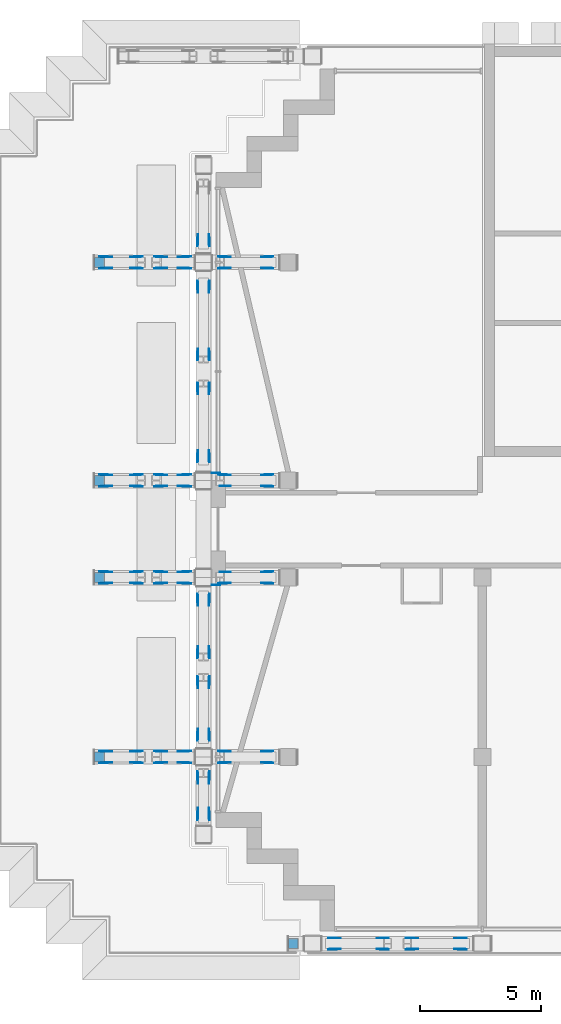
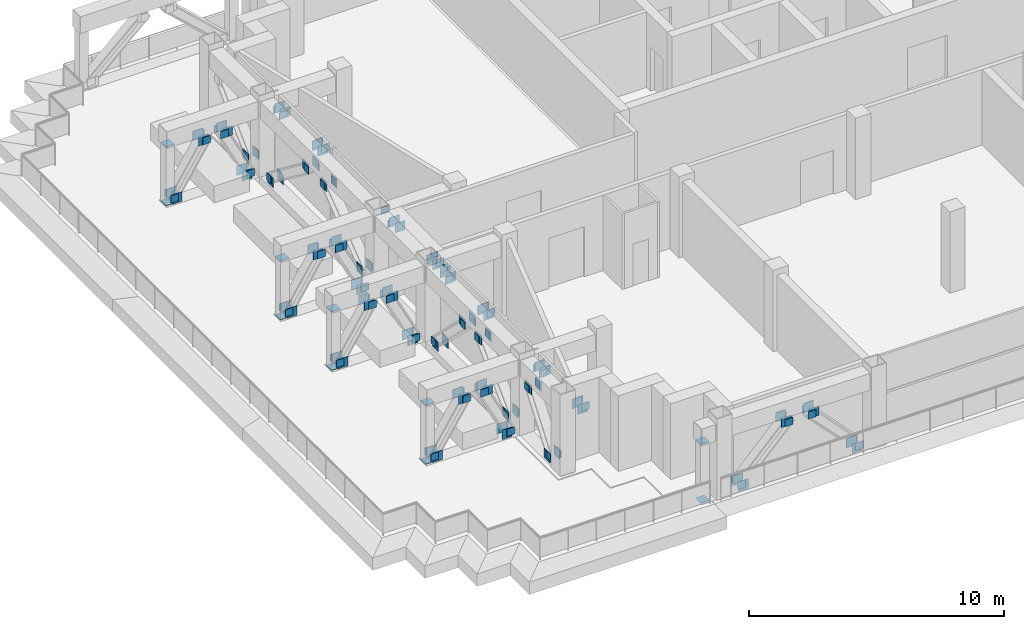
# One storey, part 14 of 21: 166 discrete accessories.
"""IFC4 building model written with IfcOpenShell, lengths in metres."""

import ifcopenshell
import ifcopenshell.guid

model = None  # the IFC model being written
_history = None  # IfcOwnerHistory: only IFC2X3 demands one
_inside = {}  # id of a spatial element -> (the spatial element, [elements in it])
_under = {}  # id of a project, library or spatial element -> (it, [spatial elements below it])
_declared = {}  # id of a project -> (the project, [libraries it declares])
_typed = {}  # id of a type object -> (the type object, [elements of that type])
_made_of = {}  # id of a material, layer set ... -> (it, [elements and type objects made of it])


def new_model(schema):
    """Start an empty IFC model of exactly this schema.

    Asked for "IFC4X3", IfcOpenShell would pick the latest addendum, in which some entities
    have other attributes; the version numbers below select the first issue.
    IFC2X3 requires an IfcOwnerHistory on every rooted entity: one is made here for all.
    """
    global model, _history
    if schema == "IFC4X3":
        model = ifcopenshell.file(schema_version=(4, 3, 0, 0))
    else:
        model = ifcopenshell.file(schema=schema)
    _inside.clear()
    _under.clear()
    _declared.clear()
    _typed.clear()
    _made_of.clear()
    _history = None
    if model.schema == "IFC2X3":
        org = make("IfcOrganization", Name="unknown")
        user = make(
            "IfcPersonAndOrganization",
            ThePerson=make("IfcPerson", FamilyName="unknown"),
            TheOrganization=org,
        )
        app = make(
            "IfcApplication",
            ApplicationDeveloper=org,
            Version="unknown",
            ApplicationFullName="unknown",
            ApplicationIdentifier="unknown",
        )
        _history = make(
            "IfcOwnerHistory",
            OwningUser=user,
            OwningApplication=app,
            ChangeAction="ADDED",
            CreationDate=0,
        )
    return model


def make(cls, **values):
    """One entity of the class cls with the attributes given. An attribute that is None is left unset."""
    return model.create_entity(
        cls, **{name: value for name, value in values.items() if value is not None}
    )


def rooted(cls, **values):
    """An entity with a GlobalId (a new one), such as an element, a storey or a relation."""
    return make(cls, GlobalId=ifcopenshell.guid.new(), OwnerHistory=_history, **values)


def si_unit(unit_type, name, prefix=None):
    """IfcSIUnit, for example si_unit("LENGTHUNIT", "METRE", prefix="MILLI")."""
    return make("IfcSIUnit", UnitType=unit_type, Prefix=prefix, Name=name)


def assignment(units):
    """IfcUnitAssignment: the units of a project."""
    return None if units is None else make("IfcUnitAssignment", Units=units)


def point(xyz):
    """IfcCartesianPoint."""
    return None if xyz is None else make("IfcCartesianPoint", Coordinates=xyz)


def direction(xyz):
    """IfcDirection."""
    return None if xyz is None else make("IfcDirection", DirectionRatios=xyz)


def frame(location, z_axis=None, x_axis=None):
    """IfcAxis2Placement3D, a coordinate frame: its origin and axes. An axis left out is left unset."""
    return make(
        "IfcAxis2Placement3D",
        Location=point(location),
        Axis=direction(z_axis),
        RefDirection=direction(x_axis),
    )


def frame_2d(location, x_axis=None):
    """IfcAxis2Placement2D, a coordinate frame in the plane: its origin and x axis."""
    return make(
        "IfcAxis2Placement2D", Location=point(location), RefDirection=direction(x_axis)
    )


def origin():
    """The frame at (0, 0, 0) with its axes left unset."""
    return frame((0.0, 0.0, 0.0))


def origin_2d():
    """The frame at (0, 0) in the plane with its x axis left unset."""
    return frame_2d((0.0, 0.0))


def place(relative_to, where):
    """IfcLocalPlacement: puts the frame where relative to a parent placement (None: the world)."""
    return make(
        "IfcLocalPlacement", PlacementRelTo=relative_to, RelativePlacement=where
    )


def context(
    kind, dimensions, precision=None, world=None, true_north=None, identifier=None
):
    """IfcGeometricRepresentationContext, for example the 3D "Model" context."""
    return make(
        "IfcGeometricRepresentationContext",
        ContextIdentifier=identifier,
        ContextType=kind,
        CoordinateSpaceDimension=dimensions,
        Precision=precision,
        WorldCoordinateSystem=world,
        TrueNorth=true_north,
    )


def subcontext(parent, identifier, kind, view, scale=None):
    """IfcGeometricRepresentationSubContext, for example "Body" below "Model"."""
    return make(
        "IfcGeometricRepresentationSubContext",
        ContextIdentifier=identifier,
        ContextType=kind,
        ParentContext=parent,
        TargetScale=scale,
        TargetView=view,
    )


def project(units=None, contexts=None):
    """IfcProject with its units and contexts."""
    return rooted(
        "IfcProject",
        Name="project",
        RepresentationContexts=contexts,
        UnitsInContext=assignment(units),
    )


def spatial(cls, under=None, at=None, **own):
    """A site, building, storey or space (cls), placed at a placement, below another one or the project."""
    s = rooted(cls, ObjectPlacement=at, **own)
    if under is not None:
        _under.setdefault(under.id(), (under, []))[1].append(s)
    return s


def profile(cls, at=None, kind="AREA", **sizes):
    """A parametric profile (cls). Its sizes go by their IFC names, for example OverallWidth=200.0."""
    return make(cls, ProfileType=kind, Position=at, **sizes)


def rectangle(**sizes):
    """IfcRectangleProfileDef."""
    return profile("IfcRectangleProfileDef", **sizes)


def extrude(swept, where, along, depth):
    """IfcExtrudedAreaSolid: the profile swept, set in the frame where, extruded along a direction by depth."""
    return make(
        "IfcExtrudedAreaSolid",
        SweptArea=swept,
        Position=where,
        ExtrudedDirection=direction(along),
        Depth=depth,
    )


def shape(context_of_items, identifier, shape_type, items):
    """IfcShapeRepresentation: the items that make up one representation, for example the "Body"."""
    return make(
        "IfcShapeRepresentation",
        ContextOfItems=context_of_items,
        RepresentationIdentifier=identifier,
        RepresentationType=shape_type,
        Items=items,
    )


def made_of(thing, what):
    """Note that an element or type object is made of a material, layer set ...; save() writes the relation."""
    if what is not None:
        _made_of.setdefault(what.id(), (what, []))[1].append(thing)
    return thing


def element(
    cls,
    number,
    at=None,
    inside=None,
    cuts=None,
    type_object=None,
    material=None,
    context=None,
    identifier="Body",
    shape_type=None,
    held_by="IfcProductDefinitionShape",
    body=None,
    shapes=None,
    **own,
):
    """One element of the class cls, such as IfcWall. Its Tag is "e" and its number.

    at: its placement. inside: the storey or other place that contains it. cuts: it is an
    opening in that element (IfcRelVoidsElement). A single representation is given by context,
    identifier, shape_type and body (its items); several are given by shapes. held_by: the class
    of the entity that holds the representations. save() writes the other relations.
    """
    e = rooted(cls, Tag="e%d" % number, ObjectPlacement=at, **own)
    if body is not None:
        shapes = [shape(context, identifier, shape_type, body)]
    if shapes is not None:
        e.Representation = make(held_by, Representations=shapes)
    if inside is not None:
        _inside.setdefault(inside.id(), (inside, []))[1].append(e)
    if cuts is not None:
        rooted(
            "IfcRelVoidsElement", RelatingBuildingElement=cuts, RelatedOpeningElement=e
        )
    if type_object is not None:
        _typed.setdefault(type_object.id(), (type_object, []))[1].append(e)
    return made_of(e, material)


def aggregate(whole, parts):
    """IfcRelAggregates: a whole, such as a stair, and the parts it consists of."""
    return rooted("IfcRelAggregates", RelatingObject=whole, RelatedObjects=parts)


def save(model, path):
    """Write the relations noted so far, then the file.

    IfcRelAggregates (storeys below a building ...), IfcRelContainedInSpatialStructure (elements
    in a storey), IfcRelDefinesByType, IfcRelAssociatesMaterial and IfcRelDeclares: one each for
    every whole, place, type object, material and project.
    """
    for whole, parts in _under.values():
        aggregate(whole, parts)
    for where, things in _inside.values():
        rooted(
            "IfcRelContainedInSpatialStructure",
            RelatedElements=things,
            RelatingStructure=where,
        )
    for kind, things in _typed.values():
        rooted("IfcRelDefinesByType", RelatedObjects=things, RelatingType=kind)
    for what, things in _made_of.values():
        rooted("IfcRelAssociatesMaterial", RelatedObjects=things, RelatingMaterial=what)
    for by, libraries in _declared.values():
        rooted("IfcRelDeclares", RelatingContext=by, RelatedDefinitions=libraries)
    model.write(path)


model = new_model("IFC4")

# Units and contexts
model_context = context("Model", 3, precision=1e-05, world=origin(), true_north=direction((0.0, 1.0)))
body_context = subcontext(model_context, "Body", "Model", "MODEL_VIEW")
ifc_project = project(units=[si_unit("LENGTHUNIT", "METRE"), si_unit("AREAUNIT", "SQUARE_METRE"), si_unit("VOLUMEUNIT", "CUBIC_METRE"), si_unit("PLANEANGLEUNIT", "RADIAN"), si_unit("MASSUNIT", "GRAM", prefix="KILO")], contexts=[model_context])

# Site, building, storey
site_placement = place(None, origin())
site = spatial("IfcSite", under=ifc_project, at=site_placement, CompositionType="ELEMENT")
building_placement = place(site_placement, origin())
building = spatial("IfcBuilding", under=site, at=building_placement, Name="Vidyagriha Tower", CompositionType="ELEMENT")
storey_placement = place(building_placement, frame((0.0, 0.0, 161.39990234375)))
storey = spatial("IfcBuildingStorey", under=building, at=storey_placement, Name="L41", CompositionType="ELEMENT", Elevation=161.39990234375)

# Discrete accessories
for number, where, name in (
    (1, (-20.071044921875, -16.878173828125, 0.0), "Truss gusset plate ASTM A572 Grade 50 20mm"),
    (2, (-20.071044921875, -17.32177734375, 0.0), "Truss gusset plate ASTM A572 Grade 50 20mm"),
    (3, (-18.12890625, -16.878173828125, 2.3701171875), "Truss gusset plate ASTM A572 Grade 50 20mm"),
    (4, (-18.12890625, -17.32177734375, 2.3701171875), "Truss gusset plate ASTM A572 Grade 50 20mm"),
    (5, (-16.87109375, -16.878173828125, 2.3701171875), "Truss gusset plate ASTM A572 Grade 50 20mm"),
    (6, (-16.87109375, -17.32177734375, 2.3701171875), "Truss gusset plate ASTM A572 Grade 50 20mm"),
    (7, (-14.928955078125, -16.878173828125, 0.0), "Truss gusset plate ASTM A572 Grade 50 20mm"),
    (8, (-14.928955078125, -17.32177734375, 0.0), "Truss gusset plate ASTM A572 Grade 50 20mm"),
    (9, (-29.4951171875, -9.17822265625, 0.0), "Truss gusset plate ASTM A572 Grade 50 20mm"),
    (10, (-29.4951171875, -9.621826171875, 0.0), "Truss gusset plate ASTM A572 Grade 50 20mm"),
    (11, (-28.3046875, -9.17822265625, 2.3701171875), "Truss gusset plate ASTM A572 Grade 50 20mm"),
    (12, (-28.3046875, -9.621826171875, 2.3701171875), "Truss gusset plate ASTM A572 Grade 50 20mm"),
    (13, (-27.220458984375, -9.17822265625, 2.3701171875), "Truss gusset plate ASTM A572 Grade 50 20mm"),
    (14, (-27.220458984375, -9.621826171875, 2.3701171875), "Truss gusset plate ASTM A572 Grade 50 20mm"),
    (15, (-26.32958984375, -9.17822265625, 0.0), "Truss gusset plate ASTM A572 Grade 50 20mm"),
    (16, (-26.32958984375, -9.621826171875, 0.0), "Truss gusset plate ASTM A572 Grade 50 20mm"),
    (17, (-24.5966796875, -9.17822265625, 2.3701171875), "Truss gusset plate ASTM A572 Grade 50 20mm"),
    (18, (-24.5966796875, -9.621826171875, 2.3701171875), "Truss gusset plate ASTM A572 Grade 50 20mm"),
    (19, (-22.9033203125, -9.17822265625, 0.0), "Truss gusset plate ASTM A572 Grade 50 20mm"),
    (20, (-22.9033203125, -9.621826171875, 0.0), "Truss gusset plate ASTM A572 Grade 50 20mm"),
    (21, (-29.4951171875, -1.778076171875, 0.0), "Truss gusset plate ASTM A572 Grade 50 20mm"),
    (22, (-29.4951171875, -2.221923828125, 0.0), "Truss gusset plate ASTM A572 Grade 50 20mm"),
    (23, (-28.3046875, -1.778076171875, 2.3701171875), "Truss gusset plate ASTM A572 Grade 50 20mm"),
    (24, (-28.3046875, -2.221923828125, 2.3701171875), "Truss gusset plate ASTM A572 Grade 50 20mm"),
    (25, (-27.220458984375, -1.778076171875, 2.3701171875), "Truss gusset plate ASTM A572 Grade 50 20mm"),
    (26, (-27.220458984375, -2.221923828125, 2.3701171875), "Truss gusset plate ASTM A572 Grade 50 20mm"),
    (27, (-26.32958984375, -1.778076171875, 0.0), "Truss gusset plate ASTM A572 Grade 50 20mm"),
    (28, (-26.32958984375, -2.221923828125, 0.0), "Truss gusset plate ASTM A572 Grade 50 20mm"),
    (29, (-24.5966796875, -1.778076171875, 2.3701171875), "Truss gusset plate ASTM A572 Grade 50 20mm"),
    (30, (-24.5966796875, -2.221923828125, 2.3701171875), "Truss gusset plate ASTM A572 Grade 50 20mm"),
    (31, (-22.9033203125, -1.778076171875, 0.0), "Truss gusset plate ASTM A572 Grade 50 20mm"),
    (32, (-22.9033203125, -2.221923828125, 0.0), "Truss gusset plate ASTM A572 Grade 50 20mm"),
    (33, (-29.4951171875, 2.221923828125, 0.0), "Truss gusset plate ASTM A572 Grade 50 20mm"),
    (34, (-29.4951171875, 1.778076171875, 0.0), "Truss gusset plate ASTM A572 Grade 50 20mm"),
    (35, (-28.3046875, 2.221923828125, 2.3701171875), "Truss gusset plate ASTM A572 Grade 50 20mm"),
    (36, (-28.3046875, 1.778076171875, 2.3701171875), "Truss gusset plate ASTM A572 Grade 50 20mm"),
    (37, (-27.220458984375, 2.221923828125, 2.3701171875), "Truss gusset plate ASTM A572 Grade 50 20mm"),
    (38, (-27.220458984375, 1.778076171875, 2.3701171875), "Truss gusset plate ASTM A572 Grade 50 20mm"),
    (39, (-26.32958984375, 2.221923828125, 0.0), "Truss gusset plate ASTM A572 Grade 50 20mm"),
    (40, (-26.32958984375, 1.778076171875, 0.0), "Truss gusset plate ASTM A572 Grade 50 20mm"),
    (41, (-24.5966796875, 2.221923828125, 2.3701171875), "Truss gusset plate ASTM A572 Grade 50 20mm"),
    (42, (-24.5966796875, 1.778076171875, 2.3701171875), "Truss gusset plate ASTM A572 Grade 50 20mm"),
    (43, (-22.9033203125, 2.221923828125, 0.0), "Truss gusset plate ASTM A572 Grade 50 20mm"),
    (44, (-22.9033203125, 1.778076171875, 0.0), "Truss gusset plate ASTM A572 Grade 50 20mm"),
    (45, (-29.4951171875, 11.221923828125, 0.0), "Truss gusset plate ASTM A572 Grade 50 20mm"),
    (46, (-29.4951171875, 10.778076171875, 0.0), "Truss gusset plate ASTM A572 Grade 50 20mm"),
    (47, (-28.3046875, 11.221923828125, 2.3701171875), "Truss gusset plate ASTM A572 Grade 50 20mm"),
    (48, (-28.3046875, 10.778076171875, 2.3701171875), "Truss gusset plate ASTM A572 Grade 50 20mm"),
    (49, (-27.220458984375, 11.221923828125, 2.3701171875), "Truss gusset plate ASTM A572 Grade 50 20mm"),
    (50, (-27.220458984375, 10.778076171875, 2.3701171875), "Truss gusset plate ASTM A572 Grade 50 20mm"),
    (51, (-26.32958984375, 11.221923828125, 0.0), "Truss gusset plate ASTM A572 Grade 50 20mm"),
    (52, (-26.32958984375, 10.778076171875, 0.0), "Truss gusset plate ASTM A572 Grade 50 20mm"),
    (53, (-24.5966796875, 11.221923828125, 2.3701171875), "Truss gusset plate ASTM A572 Grade 50 20mm"),
    (54, (-24.5966796875, 10.778076171875, 2.3701171875), "Truss gusset plate ASTM A572 Grade 50 20mm"),
    (55, (-22.9033203125, 11.221923828125, 0.0), "Truss gusset plate ASTM A572 Grade 50 20mm"),
    (56, (-22.9033203125, 10.778076171875, 0.0), "Truss gusset plate ASTM A572 Grade 50 20mm"),
):
    element("IfcDiscreteAccessory", number, at=place(storey_placement, frame(where)), inside=storey, Name=name, ObjectType="GUSSET PLATE", PredefinedType="USERDEFINED", context=body_context, shape_type="SweptSolid", body=[
        extrude(rectangle(XDim=0.449951171875, YDim=0.02001953125, at=origin_2d()), origin(), (0.0, 0.0, 1.0), 0.449951171875),
    ])
for number, where, z_axis, x_axis, name in (
    (57, (-25.721923828125, -11.7216796875, 0.0), (0.0, 0.0, 1.0), (0.0, 1.0, 0.0), "Truss gusset plate ASTM A572 Grade 50 20mm"),
    (58, (-25.278076171875, -11.7216796875, 0.0), (0.0, 0.0, 1.0), (0.0, 1.0, 0.0), "Truss gusset plate ASTM A572 Grade 50 20mm"),
    (59, (-25.721923828125, -10.2783203125, 2.3701171875), (0.0, 0.0, 1.0), (0.0, 1.0, 0.0), "Truss gusset plate ASTM A572 Grade 50 20mm"),
    (60, (-25.278076171875, -10.2783203125, 2.3701171875), (0.0, 0.0, 1.0), (0.0, 1.0, 0.0), "Truss gusset plate ASTM A572 Grade 50 20mm"),
    (61, (-25.721923828125, -8.45361328125, 0.0), (0.0, 0.0, 1.0), (0.0, 1.0, 0.0), "Truss gusset plate ASTM A572 Grade 50 20mm"),
    (62, (-25.278076171875, -8.45361328125, 0.0), (0.0, 0.0, 1.0), (0.0, 1.0, 0.0), "Truss gusset plate ASTM A572 Grade 50 20mm"),
    (63, (-25.721923828125, -6.34619140625, 2.3701171875), (0.0, 0.0, 1.0), (0.0, 1.0, 0.0), "Truss gusset plate ASTM A572 Grade 50 20mm"),
    (64, (-25.278076171875, -6.34619140625, 2.3701171875), (0.0, 0.0, 1.0), (0.0, 1.0, 0.0), "Truss gusset plate ASTM A572 Grade 50 20mm"),
    (65, (-25.721923828125, -5.0537109375, 2.3701171875), (0.0, 0.0, 1.0), (0.0, 1.0, 0.0), "Truss gusset plate ASTM A572 Grade 50 20mm"),
    (66, (-25.278076171875, -5.0537109375, 2.3701171875), (0.0, 0.0, 1.0), (0.0, 1.0, 0.0), "Truss gusset plate ASTM A572 Grade 50 20mm"),
    (67, (-25.721923828125, -2.9462890625, 0.0), (0.0, 0.0, 1.0), (0.0, 1.0, 0.0), "Truss gusset plate ASTM A572 Grade 50 20mm"),
    (68, (-25.278076171875, -2.9462890625, 0.0), (0.0, 0.0, 1.0), (0.0, 1.0, 0.0), "Truss gusset plate ASTM A572 Grade 50 20mm"),
    (69, (-25.721923828125, 3.017578125, 0.0), (0.0, 0.0, 1.0), (0.0, 1.0, 0.0), "Truss gusset plate ASTM A572 Grade 50 20mm"),
    (70, (-25.278076171875, 3.017578125, 0.0), (0.0, 0.0, 1.0), (0.0, 1.0, 0.0), "Truss gusset plate ASTM A572 Grade 50 20mm"),
    (71, (-25.721923828125, 5.782470703125, 2.3701171875), (0.0, 0.0, 1.0), (0.0, 1.0, 0.0), "Truss gusset plate ASTM A572 Grade 50 20mm"),
    (72, (-25.278076171875, 5.782470703125, 2.3701171875), (0.0, 0.0, 1.0), (0.0, 1.0, 0.0), "Truss gusset plate ASTM A572 Grade 50 20mm"),
    (73, (-25.721923828125, 7.217529296875, 2.3701171875), (0.0, 0.0, 1.0), (0.0, 1.0, 0.0), "Truss gusset plate ASTM A572 Grade 50 20mm"),
    (74, (-25.278076171875, 7.217529296875, 2.3701171875), (0.0, 0.0, 1.0), (0.0, 1.0, 0.0), "Truss gusset plate ASTM A572 Grade 50 20mm"),
    (75, (-25.721923828125, 9.982421875, 0.0), (0.0, 0.0, 1.0), (0.0, 1.0, 0.0), "Truss gusset plate ASTM A572 Grade 50 20mm"),
    (76, (-25.278076171875, 9.982421875, 0.0), (0.0, 0.0, 1.0), (0.0, 1.0, 0.0), "Truss gusset plate ASTM A572 Grade 50 20mm"),
    (77, (-25.721923828125, 11.9462890625, 0.0), (0.0, 0.0, 1.0), (0.0, 1.0, 0.0), "Truss gusset plate ASTM A572 Grade 50 20mm"),
    (78, (-25.278076171875, 11.9462890625, 0.0), (0.0, 0.0, 1.0), (0.0, 1.0, 0.0), "Truss gusset plate ASTM A572 Grade 50 20mm"),
):
    element("IfcDiscreteAccessory", number, at=place(storey_placement, frame(where, z_axis=z_axis, x_axis=x_axis)), inside=storey, Name=name, ObjectType="GUSSET PLATE", PredefinedType="USERDEFINED", context=body_context, shape_type="SweptSolid", body=[
        extrude(rectangle(XDim=0.449951171875, YDim=0.02001953125, at=origin_2d()), origin(), (0.0, 0.0, 1.0), 0.449951171875),
    ])
for number, where, z_axis, x_axis, name in (
    (79, (-20.175048828125, -17.34228515625, 0.112060546875), (0.0, 0.0, 1.0), (-1.0, 0.0, 0.0), "End plate ASTM A572 Grade 50 20mm"),
    (80, (-20.175048828125, -16.857666015625, 0.112060546875), (0.0, 0.0, 1.0), (-1.0, 0.0, 0.0), "End plate ASTM A572 Grade 50 20mm"),
):
    element("IfcDiscreteAccessory", number, at=place(storey_placement, frame(where, z_axis=z_axis, x_axis=x_axis)), inside=storey, Name=name, ObjectType="END PLATE", PredefinedType="USERDEFINED", context=body_context, shape_type="SweptSolid", body=[
        extrude(rectangle(XDim=0.35009765625, YDim=0.02001953125, at=origin_2d()), origin(), (0.0, 0.0, 1.0), 0.35009765625),
    ])
for number, where, name in (
    (81, (-18.02490234375, -16.857666015625, 2.35791015625), "End plate ASTM A572 Grade 50 20mm"),
    (82, (-18.02490234375, -17.34228515625, 2.35791015625), "End plate ASTM A572 Grade 50 20mm"),
):
    element("IfcDiscreteAccessory", number, at=place(storey_placement, frame(where)), inside=storey, Name=name, ObjectType="END PLATE", PredefinedType="USERDEFINED", context=body_context, shape_type="SweptSolid", body=[
        extrude(rectangle(XDim=0.35009765625, YDim=0.02001953125, at=origin_2d()), origin(), (0.0, 0.0, 1.0), 0.35009765625),
    ])
for number, where, z_axis, x_axis, name in (
    (83, (-16.97509765625, -17.34228515625, 2.35791015625), (0.0, 0.0, 1.0), (-1.0, 0.0, 0.0), "End plate ASTM A572 Grade 50 20mm"),
    (84, (-16.97509765625, -16.857666015625, 2.35791015625), (0.0, 0.0, 1.0), (-1.0, 0.0, 0.0), "End plate ASTM A572 Grade 50 20mm"),
):
    element("IfcDiscreteAccessory", number, at=place(storey_placement, frame(where, z_axis=z_axis, x_axis=x_axis)), inside=storey, Name=name, ObjectType="END PLATE", PredefinedType="USERDEFINED", context=body_context, shape_type="SweptSolid", body=[
        extrude(rectangle(XDim=0.35009765625, YDim=0.02001953125, at=origin_2d()), origin(), (0.0, 0.0, 1.0), 0.35009765625),
    ])
for number, where, name in (
    (85, (-14.824951171875, -16.857666015625, 0.112060546875), "End plate ASTM A572 Grade 50 20mm"),
    (86, (-14.824951171875, -17.34228515625, 0.112060546875), "End plate ASTM A572 Grade 50 20mm"),
):
    element("IfcDiscreteAccessory", number, at=place(storey_placement, frame(where)), inside=storey, Name=name, ObjectType="END PLATE", PredefinedType="USERDEFINED", context=body_context, shape_type="SweptSolid", body=[
        extrude(rectangle(XDim=0.35009765625, YDim=0.02001953125, at=origin_2d()), origin(), (0.0, 0.0, 1.0), 0.35009765625),
    ])
for number, where, name in (
    (87, (-21.796875, -17.10009765625, 0.0), "End plate ASTM A572 Grade 50 20mm"),
    (88, (-21.796875, -17.10009765625, 2.80029296875), "End plate ASTM A572 Grade 50 20mm"),
):
    element("IfcDiscreteAccessory", number, at=place(storey_placement, frame(where)), inside=storey, Name=name, ObjectType="END PLATE", PredefinedType="USERDEFINED", context=body_context, shape_type="SweptSolid", body=[
        extrude(rectangle(XDim=0.406494140625, YDim=0.406494140625, at=origin_2d()), origin(), (0.0, 0.0, 1.0), 0.02001953125),
    ])
for number, where, z_axis, x_axis, name in (
    (89, (-29.6259765625, -9.642333984375, 0.09765625), (0.0, 0.0, 1.0), (-1.0, 0.0, 0.0), "End plate ASTM A572 Grade 50 20mm"),
    (90, (-29.6259765625, -9.15771484375, 0.09765625), (0.0, 0.0, 1.0), (-1.0, 0.0, 0.0), "End plate ASTM A572 Grade 50 20mm"),
):
    element("IfcDiscreteAccessory", number, at=place(storey_placement, frame(where, z_axis=z_axis, x_axis=x_axis)), inside=storey, Name=name, ObjectType="END PLATE", PredefinedType="USERDEFINED", context=body_context, shape_type="SweptSolid", body=[
        extrude(rectangle(XDim=0.35009765625, YDim=0.02001953125, at=origin_2d()), origin(), (0.0, 0.0, 1.0), 0.35009765625),
    ])
for number, where, name in (
    (91, (-28.174072265625, -9.15771484375, 2.37255859375), "End plate ASTM A572 Grade 50 20mm"),
    (92, (-28.174072265625, -9.642333984375, 2.37255859375), "End plate ASTM A572 Grade 50 20mm"),
):
    element("IfcDiscreteAccessory", number, at=place(storey_placement, frame(where)), inside=storey, Name=name, ObjectType="END PLATE", PredefinedType="USERDEFINED", context=body_context, shape_type="SweptSolid", body=[
        extrude(rectangle(XDim=0.35009765625, YDim=0.02001953125, at=origin_2d()), origin(), (0.0, 0.0, 1.0), 0.35009765625),
    ])
for number, where, z_axis, x_axis, name in (
    (93, (-27.365478515625, -9.642333984375, 2.383056640625), (0.0, 0.0, 1.0), (-1.0, 0.0, 0.0), "End plate ASTM A572 Grade 50 20mm"),
    (94, (-27.365478515625, -9.15771484375, 2.383056640625), (0.0, 0.0, 1.0), (-1.0, 0.0, 0.0), "End plate ASTM A572 Grade 50 20mm"),
):
    element("IfcDiscreteAccessory", number, at=place(storey_placement, frame(where, z_axis=z_axis, x_axis=x_axis)), inside=storey, Name=name, ObjectType="END PLATE", PredefinedType="USERDEFINED", context=body_context, shape_type="SweptSolid", body=[
        extrude(rectangle(XDim=0.35009765625, YDim=0.02001953125, at=origin_2d()), origin(), (0.0, 0.0, 1.0), 0.35009765625),
    ])
for number, where, name in (
    (95, (-26.1845703125, -9.15771484375, 0.0869140625), "End plate ASTM A572 Grade 50 20mm"),
    (96, (-26.1845703125, -9.642333984375, 0.0869140625), "End plate ASTM A572 Grade 50 20mm"),
):
    element("IfcDiscreteAccessory", number, at=place(storey_placement, frame(where)), inside=storey, Name=name, ObjectType="END PLATE", PredefinedType="USERDEFINED", context=body_context, shape_type="SweptSolid", body=[
        extrude(rectangle(XDim=0.35009765625, YDim=0.02001953125, at=origin_2d()), origin(), (0.0, 0.0, 1.0), 0.35009765625),
    ])
for number, where, z_axis, x_axis, name in (
    (97, (-24.70849609375, -9.642333984375, 2.361083984375), (0.0, 0.0, 1.0), (-1.0, 0.0, 0.0), "End plate ASTM A572 Grade 50 20mm"),
    (98, (-24.70849609375, -9.15771484375, 2.361083984375), (0.0, 0.0, 1.0), (-1.0, 0.0, 0.0), "End plate ASTM A572 Grade 50 20mm"),
):
    element("IfcDiscreteAccessory", number, at=place(storey_placement, frame(where, z_axis=z_axis, x_axis=x_axis)), inside=storey, Name=name, ObjectType="END PLATE", PredefinedType="USERDEFINED", context=body_context, shape_type="SweptSolid", body=[
        extrude(rectangle(XDim=0.35009765625, YDim=0.02001953125, at=origin_2d()), origin(), (0.0, 0.0, 1.0), 0.35009765625),
    ])
for number, where, name in (
    (99, (-22.79150390625, -9.15771484375, 0.10888671875), "End plate ASTM A572 Grade 50 20mm"),
    (100, (-22.79150390625, -9.642333984375, 0.10888671875), "End plate ASTM A572 Grade 50 20mm"),
):
    element("IfcDiscreteAccessory", number, at=place(storey_placement, frame(where)), inside=storey, Name=name, ObjectType="END PLATE", PredefinedType="USERDEFINED", context=body_context, shape_type="SweptSolid", body=[
        extrude(rectangle(XDim=0.35009765625, YDim=0.02001953125, at=origin_2d()), origin(), (0.0, 0.0, 1.0), 0.35009765625),
    ])
for number, where, name in (
    (101, (-29.796875, -9.39990234375, 0.0), "End plate ASTM A572 Grade 50 20mm"),
    (102, (-29.796875, -9.39990234375, 2.80029296875), "End plate ASTM A572 Grade 50 20mm"),
):
    element("IfcDiscreteAccessory", number, at=place(storey_placement, frame(where)), inside=storey, Name=name, ObjectType="END PLATE", PredefinedType="USERDEFINED", context=body_context, shape_type="SweptSolid", body=[
        extrude(rectangle(XDim=0.406494140625, YDim=0.406494140625, at=origin_2d()), origin(), (0.0, 0.0, 1.0), 0.02001953125),
    ])
for number, where, z_axis, x_axis, name in (
    (103, (-29.6259765625, -2.242431640625, 0.09765625), (0.0, 0.0, 1.0), (-1.0, 0.0, 0.0), "End plate ASTM A572 Grade 50 20mm"),
    (104, (-29.6259765625, -1.757568359375, 0.09765625), (0.0, 0.0, 1.0), (-1.0, 0.0, 0.0), "End plate ASTM A572 Grade 50 20mm"),
):
    element("IfcDiscreteAccessory", number, at=place(storey_placement, frame(where, z_axis=z_axis, x_axis=x_axis)), inside=storey, Name=name, ObjectType="END PLATE", PredefinedType="USERDEFINED", context=body_context, shape_type="SweptSolid", body=[
        extrude(rectangle(XDim=0.35009765625, YDim=0.02001953125, at=origin_2d()), origin(), (0.0, 0.0, 1.0), 0.35009765625),
    ])
for number, where, name in (
    (105, (-28.174072265625, -1.757568359375, 2.37255859375), "End plate ASTM A572 Grade 50 20mm"),
    (106, (-28.174072265625, -2.242431640625, 2.37255859375), "End plate ASTM A572 Grade 50 20mm"),
):
    element("IfcDiscreteAccessory", number, at=place(storey_placement, frame(where)), inside=storey, Name=name, ObjectType="END PLATE", PredefinedType="USERDEFINED", context=body_context, shape_type="SweptSolid", body=[
        extrude(rectangle(XDim=0.35009765625, YDim=0.02001953125, at=origin_2d()), origin(), (0.0, 0.0, 1.0), 0.35009765625),
    ])
for number, where, z_axis, x_axis, name in (
    (107, (-27.365478515625, -2.242431640625, 2.383056640625), (0.0, 0.0, 1.0), (-1.0, 0.0, 0.0), "End plate ASTM A572 Grade 50 20mm"),
    (108, (-27.365478515625, -1.757568359375, 2.383056640625), (0.0, 0.0, 1.0), (-1.0, 0.0, 0.0), "End plate ASTM A572 Grade 50 20mm"),
):
    element("IfcDiscreteAccessory", number, at=place(storey_placement, frame(where, z_axis=z_axis, x_axis=x_axis)), inside=storey, Name=name, ObjectType="END PLATE", PredefinedType="USERDEFINED", context=body_context, shape_type="SweptSolid", body=[
        extrude(rectangle(XDim=0.35009765625, YDim=0.02001953125, at=origin_2d()), origin(), (0.0, 0.0, 1.0), 0.35009765625),
    ])
for number, where, name in (
    (109, (-26.1845703125, -1.757568359375, 0.0869140625), "End plate ASTM A572 Grade 50 20mm"),
    (110, (-26.1845703125, -2.242431640625, 0.0869140625), "End plate ASTM A572 Grade 50 20mm"),
):
    element("IfcDiscreteAccessory", number, at=place(storey_placement, frame(where)), inside=storey, Name=name, ObjectType="END PLATE", PredefinedType="USERDEFINED", context=body_context, shape_type="SweptSolid", body=[
        extrude(rectangle(XDim=0.35009765625, YDim=0.02001953125, at=origin_2d()), origin(), (0.0, 0.0, 1.0), 0.35009765625),
    ])
for number, where, z_axis, x_axis, name in (
    (111, (-24.97509765625, -2.31005859375, 3.045166015625), (0.0, 0.0, 1.0), (-1.0, 0.0, 0.0), "End plate ASTM A572 Grade 50 20mm"),
    (112, (-24.70849609375, -2.242431640625, 2.361083984375), (0.0, 0.0, 1.0), (-1.0, 0.0, 0.0), "End plate ASTM A572 Grade 50 20mm"),
):
    element("IfcDiscreteAccessory", number, at=place(storey_placement, frame(where, z_axis=z_axis, x_axis=x_axis)), inside=storey, Name=name, ObjectType="END PLATE", PredefinedType="USERDEFINED", context=body_context, shape_type="SweptSolid", body=[
        extrude(rectangle(XDim=0.35009765625, YDim=0.02001953125, at=origin_2d()), origin(), (0.0, 0.0, 1.0), 0.35009765625),
    ])
for number, where, name in (
    (113, (-22.79150390625, -1.757568359375, 0.10888671875), "End plate ASTM A572 Grade 50 20mm"),
    (114, (-22.79150390625, -2.242431640625, 0.10888671875), "End plate ASTM A572 Grade 50 20mm"),
):
    element("IfcDiscreteAccessory", number, at=place(storey_placement, frame(where)), inside=storey, Name=name, ObjectType="END PLATE", PredefinedType="USERDEFINED", context=body_context, shape_type="SweptSolid", body=[
        extrude(rectangle(XDim=0.35009765625, YDim=0.02001953125, at=origin_2d()), origin(), (0.0, 0.0, 1.0), 0.35009765625),
    ])
for number, where, name in (
    (115, (-29.796875, -2.0, 0.0), "End plate ASTM A572 Grade 50 20mm"),
    (116, (-29.796875, -2.0, 2.80029296875), "End plate ASTM A572 Grade 50 20mm"),
):
    element("IfcDiscreteAccessory", number, at=place(storey_placement, frame(where)), inside=storey, Name=name, ObjectType="END PLATE", PredefinedType="USERDEFINED", context=body_context, shape_type="SweptSolid", body=[
        extrude(rectangle(XDim=0.406494140625, YDim=0.406494140625, at=origin_2d()), origin(), (0.0, 0.0, 1.0), 0.02001953125),
    ])
for number, where, z_axis, x_axis, name in (
    (117, (-29.6259765625, 1.757568359375, 0.09765625), (0.0, 0.0, 1.0), (-1.0, 0.0, 0.0), "End plate ASTM A572 Grade 50 20mm"),
    (118, (-29.6259765625, 2.242431640625, 0.09765625), (0.0, 0.0, 1.0), (-1.0, 0.0, 0.0), "End plate ASTM A572 Grade 50 20mm"),
):
    element("IfcDiscreteAccessory", number, at=place(storey_placement, frame(where, z_axis=z_axis, x_axis=x_axis)), inside=storey, Name=name, ObjectType="END PLATE", PredefinedType="USERDEFINED", context=body_context, shape_type="SweptSolid", body=[
        extrude(rectangle(XDim=0.35009765625, YDim=0.02001953125, at=origin_2d()), origin(), (0.0, 0.0, 1.0), 0.35009765625),
    ])
for number, where, name in (
    (119, (-28.174072265625, 2.242431640625, 2.37255859375), "End plate ASTM A572 Grade 50 20mm"),
    (120, (-28.174072265625, 1.757568359375, 2.37255859375), "End plate ASTM A572 Grade 50 20mm"),
):
    element("IfcDiscreteAccessory", number, at=place(storey_placement, frame(where)), inside=storey, Name=name, ObjectType="END PLATE", PredefinedType="USERDEFINED", context=body_context, shape_type="SweptSolid", body=[
        extrude(rectangle(XDim=0.35009765625, YDim=0.02001953125, at=origin_2d()), origin(), (0.0, 0.0, 1.0), 0.35009765625),
    ])
for number, where, z_axis, x_axis, name in (
    (121, (-27.365478515625, 1.757568359375, 2.383056640625), (0.0, 0.0, 1.0), (-1.0, 0.0, 0.0), "End plate ASTM A572 Grade 50 20mm"),
    (122, (-27.365478515625, 2.242431640625, 2.383056640625), (0.0, 0.0, 1.0), (-1.0, 0.0, 0.0), "End plate ASTM A572 Grade 50 20mm"),
):
    element("IfcDiscreteAccessory", number, at=place(storey_placement, frame(where, z_axis=z_axis, x_axis=x_axis)), inside=storey, Name=name, ObjectType="END PLATE", PredefinedType="USERDEFINED", context=body_context, shape_type="SweptSolid", body=[
        extrude(rectangle(XDim=0.35009765625, YDim=0.02001953125, at=origin_2d()), origin(), (0.0, 0.0, 1.0), 0.35009765625),
    ])
for number, where, name in (
    (123, (-26.1845703125, 2.242431640625, 0.0869140625), "End plate ASTM A572 Grade 50 20mm"),
    (124, (-26.1845703125, 1.757568359375, 0.0869140625), "End plate ASTM A572 Grade 50 20mm"),
):
    element("IfcDiscreteAccessory", number, at=place(storey_placement, frame(where)), inside=storey, Name=name, ObjectType="END PLATE", PredefinedType="USERDEFINED", context=body_context, shape_type="SweptSolid", body=[
        extrude(rectangle(XDim=0.35009765625, YDim=0.02001953125, at=origin_2d()), origin(), (0.0, 0.0, 1.0), 0.35009765625),
    ])
for number, where, z_axis, x_axis, name in (
    (125, (-24.97509765625, 2.31005859375, 3.045166015625), (0.0, 0.0, 1.0), (-1.0, 0.0, 0.0), "End plate ASTM A572 Grade 50 20mm"),
    (126, (-24.70849609375, 2.242431640625, 2.361083984375), (0.0, 0.0, 1.0), (-1.0, 0.0, 0.0), "End plate ASTM A572 Grade 50 20mm"),
):
    element("IfcDiscreteAccessory", number, at=place(storey_placement, frame(where, z_axis=z_axis, x_axis=x_axis)), inside=storey, Name=name, ObjectType="END PLATE", PredefinedType="USERDEFINED", context=body_context, shape_type="SweptSolid", body=[
        extrude(rectangle(XDim=0.35009765625, YDim=0.02001953125, at=origin_2d()), origin(), (0.0, 0.0, 1.0), 0.35009765625),
    ])
for number, where, name in (
    (127, (-22.79150390625, 2.242431640625, 0.10888671875), "End plate ASTM A572 Grade 50 20mm"),
    (128, (-22.79150390625, 1.757568359375, 0.10888671875), "End plate ASTM A572 Grade 50 20mm"),
):
    element("IfcDiscreteAccessory", number, at=place(storey_placement, frame(where)), inside=storey, Name=name, ObjectType="END PLATE", PredefinedType="USERDEFINED", context=body_context, shape_type="SweptSolid", body=[
        extrude(rectangle(XDim=0.35009765625, YDim=0.02001953125, at=origin_2d()), origin(), (0.0, 0.0, 1.0), 0.35009765625),
    ])
for number, where, name in (
    (129, (-29.796875, 2.0, 0.0), "End plate ASTM A572 Grade 50 20mm"),
    (130, (-29.796875, 2.0, 2.80029296875), "End plate ASTM A572 Grade 50 20mm"),
):
    element("IfcDiscreteAccessory", number, at=place(storey_placement, frame(where)), inside=storey, Name=name, ObjectType="END PLATE", PredefinedType="USERDEFINED", context=body_context, shape_type="SweptSolid", body=[
        extrude(rectangle(XDim=0.406494140625, YDim=0.406494140625, at=origin_2d()), origin(), (0.0, 0.0, 1.0), 0.02001953125),
    ])
for number, where, z_axis, x_axis, name in (
    (131, (-29.6259765625, 10.757568359375, 0.09765625), (0.0, 0.0, 1.0), (-1.0, 0.0, 0.0), "End plate ASTM A572 Grade 50 20mm"),
    (132, (-29.6259765625, 11.242431640625, 0.09765625), (0.0, 0.0, 1.0), (-1.0, 0.0, 0.0), "End plate ASTM A572 Grade 50 20mm"),
):
    element("IfcDiscreteAccessory", number, at=place(storey_placement, frame(where, z_axis=z_axis, x_axis=x_axis)), inside=storey, Name=name, ObjectType="END PLATE", PredefinedType="USERDEFINED", context=body_context, shape_type="SweptSolid", body=[
        extrude(rectangle(XDim=0.35009765625, YDim=0.02001953125, at=origin_2d()), origin(), (0.0, 0.0, 1.0), 0.35009765625),
    ])
for number, where, name in (
    (133, (-28.174072265625, 11.242431640625, 2.37255859375), "End plate ASTM A572 Grade 50 20mm"),
    (134, (-28.174072265625, 10.757568359375, 2.37255859375), "End plate ASTM A572 Grade 50 20mm"),
):
    element("IfcDiscreteAccessory", number, at=place(storey_placement, frame(where)), inside=storey, Name=name, ObjectType="END PLATE", PredefinedType="USERDEFINED", context=body_context, shape_type="SweptSolid", body=[
        extrude(rectangle(XDim=0.35009765625, YDim=0.02001953125, at=origin_2d()), origin(), (0.0, 0.0, 1.0), 0.35009765625),
    ])
for number, where, z_axis, x_axis, name in (
    (135, (-27.365478515625, 10.757568359375, 2.383056640625), (0.0, 0.0, 1.0), (-1.0, 0.0, 0.0), "End plate ASTM A572 Grade 50 20mm"),
    (136, (-27.365478515625, 11.242431640625, 2.383056640625), (0.0, 0.0, 1.0), (-1.0, 0.0, 0.0), "End plate ASTM A572 Grade 50 20mm"),
):
    element("IfcDiscreteAccessory", number, at=place(storey_placement, frame(where, z_axis=z_axis, x_axis=x_axis)), inside=storey, Name=name, ObjectType="END PLATE", PredefinedType="USERDEFINED", context=body_context, shape_type="SweptSolid", body=[
        extrude(rectangle(XDim=0.35009765625, YDim=0.02001953125, at=origin_2d()), origin(), (0.0, 0.0, 1.0), 0.35009765625),
    ])
for number, where, name in (
    (137, (-26.1845703125, 11.242431640625, 0.0869140625), "End plate ASTM A572 Grade 50 20mm"),
    (138, (-26.1845703125, 10.757568359375, 0.0869140625), "End plate ASTM A572 Grade 50 20mm"),
):
    element("IfcDiscreteAccessory", number, at=place(storey_placement, frame(where)), inside=storey, Name=name, ObjectType="END PLATE", PredefinedType="USERDEFINED", context=body_context, shape_type="SweptSolid", body=[
        extrude(rectangle(XDim=0.35009765625, YDim=0.02001953125, at=origin_2d()), origin(), (0.0, 0.0, 1.0), 0.35009765625),
    ])
for number, where, z_axis, x_axis, name in (
    (139, (-24.70849609375, 10.757568359375, 2.361083984375), (0.0, 0.0, 1.0), (-1.0, 0.0, 0.0), "End plate ASTM A572 Grade 50 20mm"),
    (140, (-24.70849609375, 11.242431640625, 2.361083984375), (0.0, 0.0, 1.0), (-1.0, 0.0, 0.0), "End plate ASTM A572 Grade 50 20mm"),
):
    element("IfcDiscreteAccessory", number, at=place(storey_placement, frame(where, z_axis=z_axis, x_axis=x_axis)), inside=storey, Name=name, ObjectType="END PLATE", PredefinedType="USERDEFINED", context=body_context, shape_type="SweptSolid", body=[
        extrude(rectangle(XDim=0.35009765625, YDim=0.02001953125, at=origin_2d()), origin(), (0.0, 0.0, 1.0), 0.35009765625),
    ])
for number, where, name in (
    (141, (-22.79150390625, 11.242431640625, 0.10888671875), "End plate ASTM A572 Grade 50 20mm"),
    (142, (-22.79150390625, 10.757568359375, 0.10888671875), "End plate ASTM A572 Grade 50 20mm"),
):
    element("IfcDiscreteAccessory", number, at=place(storey_placement, frame(where)), inside=storey, Name=name, ObjectType="END PLATE", PredefinedType="USERDEFINED", context=body_context, shape_type="SweptSolid", body=[
        extrude(rectangle(XDim=0.35009765625, YDim=0.02001953125, at=origin_2d()), origin(), (0.0, 0.0, 1.0), 0.35009765625),
    ])
for number, where, name in (
    (143, (-29.796875, 11.0, 0.0), "End plate ASTM A572 Grade 50 20mm"),
    (144, (-29.796875, 11.0, 2.80029296875), "End plate ASTM A572 Grade 50 20mm"),
):
    element("IfcDiscreteAccessory", number, at=place(storey_placement, frame(where)), inside=storey, Name=name, ObjectType="END PLATE", PredefinedType="USERDEFINED", context=body_context, shape_type="SweptSolid", body=[
        extrude(rectangle(XDim=0.406494140625, YDim=0.406494140625, at=origin_2d()), origin(), (0.0, 0.0, 1.0), 0.02001953125),
    ])
for number, where, z_axis, x_axis, name in (
    (145, (-25.257568359375, -11.842041015625, 0.104248046875), (0.0, 0.0, 1.0), (0.0, -1.0, 0.0), "End plate ASTM A572 Grade 50 20mm"),
    (146, (-25.742431640625, -11.842041015625, 0.104248046875), (0.0, 0.0, 1.0), (0.0, -1.0, 0.0), "End plate ASTM A572 Grade 50 20mm"),
    (147, (-25.742431640625, -10.157958984375, 2.365966796875), (0.0, 0.0, 1.0), (0.0, 1.0, 0.0), "End plate ASTM A572 Grade 50 20mm"),
    (148, (-25.257568359375, -10.157958984375, 2.365966796875), (0.0, 0.0, 1.0), (0.0, 1.0, 0.0), "End plate ASTM A572 Grade 50 20mm"),
    (149, (-25.257568359375, -8.55322265625, 0.11376953125), (0.0, 0.0, 1.0), (0.0, -1.0, 0.0), "End plate ASTM A572 Grade 50 20mm"),
    (150, (-25.742431640625, -8.55322265625, 0.11376953125), (0.0, 0.0, 1.0), (0.0, -1.0, 0.0), "End plate ASTM A572 Grade 50 20mm"),
    (151, (-25.742431640625, -6.246826171875, 2.3564453125), (0.0, 0.0, 1.0), (0.0, 1.0, 0.0), "End plate ASTM A572 Grade 50 20mm"),
    (152, (-25.257568359375, -6.246826171875, 2.3564453125), (0.0, 0.0, 1.0), (0.0, 1.0, 0.0), "End plate ASTM A572 Grade 50 20mm"),
    (153, (-25.257568359375, -5.1533203125, 2.3564453125), (0.0, 0.0, 1.0), (0.0, -1.0, 0.0), "End plate ASTM A572 Grade 50 20mm"),
    (154, (-25.742431640625, -5.1533203125, 2.3564453125), (0.0, 0.0, 1.0), (0.0, -1.0, 0.0), "End plate ASTM A572 Grade 50 20mm"),
    (155, (-25.742431640625, -2.8466796875, 0.11376953125), (0.0, 0.0, 1.0), (0.0, 1.0, 0.0), "End plate ASTM A572 Grade 50 20mm"),
    (156, (-25.257568359375, -2.8466796875, 0.11376953125), (0.0, 0.0, 1.0), (0.0, 1.0, 0.0), "End plate ASTM A572 Grade 50 20mm"),
    (157, (-25.257568359375, 2.931640625, 0.115966796875), (0.0, 0.0, 1.0), (0.0, -1.0, 0.0), "End plate ASTM A572 Grade 50 20mm"),
    (158, (-25.742431640625, 2.931640625, 0.115966796875), (0.0, 0.0, 1.0), (0.0, -1.0, 0.0), "End plate ASTM A572 Grade 50 20mm"),
    (159, (-25.742431640625, 5.868408203125, 2.354248046875), (0.0, 0.0, 1.0), (0.0, 1.0, 0.0), "End plate ASTM A572 Grade 50 20mm"),
    (160, (-25.257568359375, 5.868408203125, 2.354248046875), (0.0, 0.0, 1.0), (0.0, 1.0, 0.0), "End plate ASTM A572 Grade 50 20mm"),
    (161, (-25.257568359375, 7.131591796875, 2.354248046875), (0.0, 0.0, 1.0), (0.0, -1.0, 0.0), "End plate ASTM A572 Grade 50 20mm"),
    (162, (-25.742431640625, 7.131591796875, 2.354248046875), (0.0, 0.0, 1.0), (0.0, -1.0, 0.0), "End plate ASTM A572 Grade 50 20mm"),
    (163, (-25.742431640625, 10.068359375, 0.115966796875), (0.0, 0.0, 1.0), (0.0, 1.0, 0.0), "End plate ASTM A572 Grade 50 20mm"),
    (164, (-25.257568359375, 10.068359375, 0.115966796875), (0.0, 0.0, 1.0), (0.0, 1.0, 0.0), "End plate ASTM A572 Grade 50 20mm"),
    (165, (-25.257568359375, 11.8466796875, 0.11376953125), (0.0, 0.0, 1.0), (0.0, -1.0, 0.0), "End plate ASTM A572 Grade 50 20mm"),
    (166, (-25.742431640625, 11.8466796875, 0.11376953125), (0.0, 0.0, 1.0), (0.0, -1.0, 0.0), "End plate ASTM A572 Grade 50 20mm"),
):
    element("IfcDiscreteAccessory", number, at=place(storey_placement, frame(where, z_axis=z_axis, x_axis=x_axis)), inside=storey, Name=name, ObjectType="END PLATE", PredefinedType="USERDEFINED", context=body_context, shape_type="SweptSolid", body=[
        extrude(rectangle(XDim=0.35009765625, YDim=0.02001953125, at=origin_2d()), origin(), (0.0, 0.0, 1.0), 0.35009765625),
    ])

save(model, "model.ifc")
